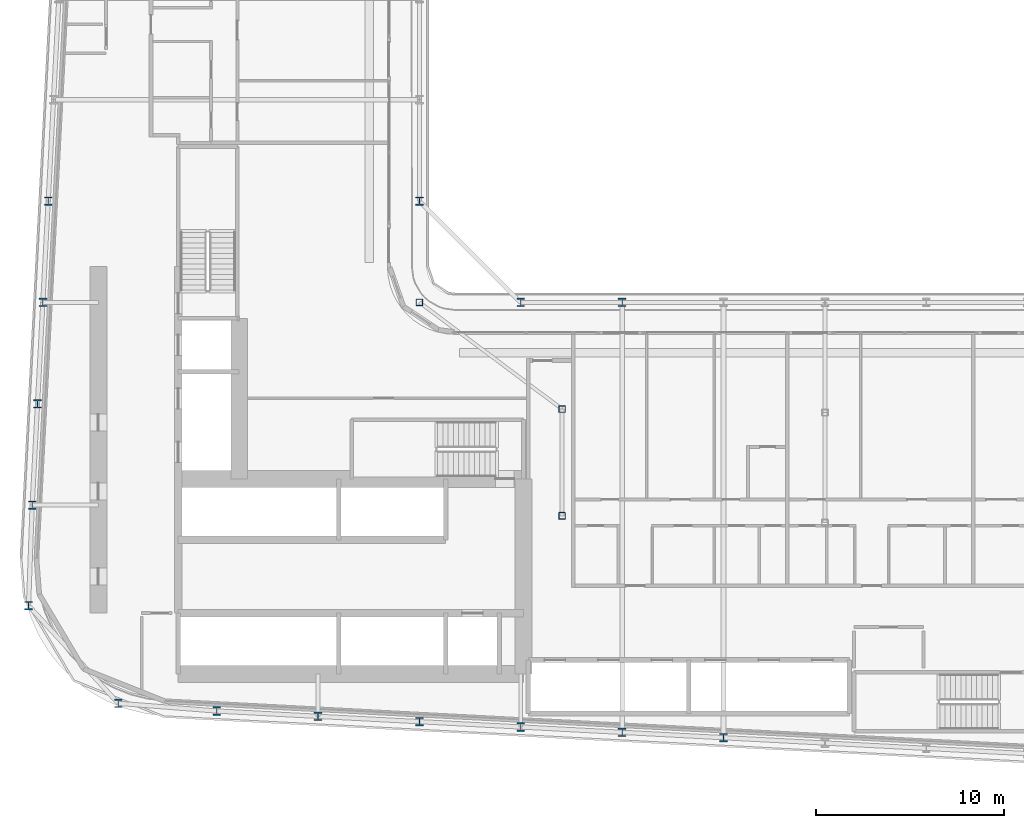
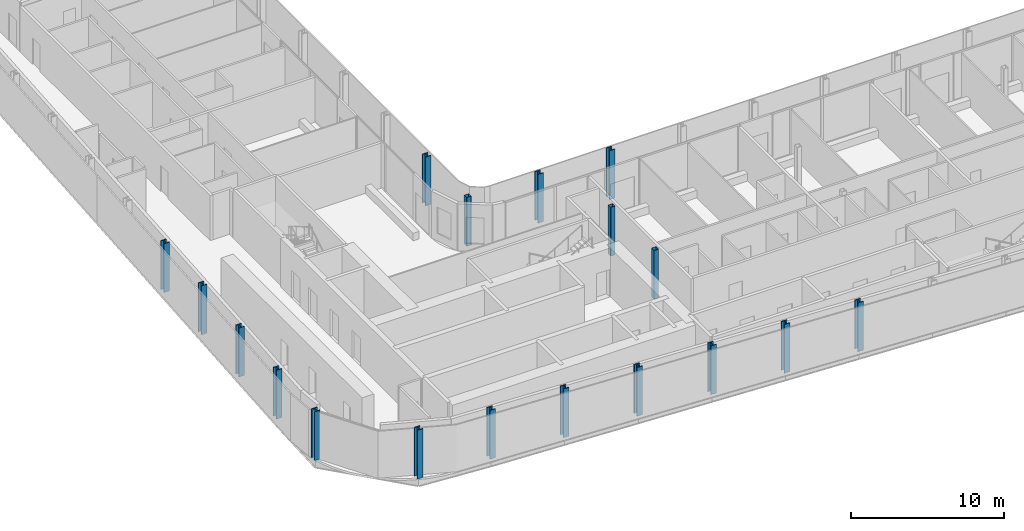
# One storey, part 1 of 27: 18 columns.
"""IFC4 building model written with IfcOpenShell, lengths in metres."""

from ifc_helpers import new_model, si_unit, direction, frame, origin, origin_2d, place, context, subcontext, project, spatial, hollow_rectangle, i_section, extrude, material, material_profile, profile_set, type_object, element, save


model = new_model("IFC4")

# Units and contexts
model_context = context("Model", 3, precision=1e-05, world=origin(), true_north=direction((0.0, 1.0)))
body_context = subcontext(model_context, "Body", "Model", "MODEL_VIEW")
ifc_project = project(units=[si_unit("LENGTHUNIT", "METRE"), si_unit("AREAUNIT", "SQUARE_METRE"), si_unit("VOLUMEUNIT", "CUBIC_METRE"), si_unit("PLANEANGLEUNIT", "RADIAN"), si_unit("MASSUNIT", "GRAM", prefix="KILO")], contexts=[model_context])

# Site, building, storey
site_placement = place(None, origin())
site = spatial("IfcSite", under=ifc_project, at=site_placement, CompositionType="ELEMENT")
building_placement = place(site_placement, origin())
building = spatial("IfcBuilding", under=site, at=building_placement, Name="Kheshtan School and Residences Tower", CompositionType="ELEMENT")
storey_placement = place(building_placement, frame((0.0, 0.0, 98.0)))
storey = spatial("IfcBuildingStorey", under=building, at=storey_placement, Name="L22", CompositionType="ELEMENT", Elevation=98.0)

# Columns
ifc_material_1 = material(Name="Steel ASTM A992 Grade 50", Category="steel")
ifc_material_profile_1 = material_profile(ifc_material_1, i_section(OverallWidth=0.41796875, OverallDepth=0.455078125, WebThickness=0.042236328125, FlangeThickness=0.067626953125, FilletRadius=0.013671875, at=origin_2d()), Name="W360x551")
ifc_profile_set_1 = profile_set([ifc_material_profile_1], Name="Steel ASTM A992 Grade 50")
column_type_1 = type_object("IfcColumnType", Name="Column C2 W360x551 ASTM A992 Grade 50", PredefinedType="COLUMN", material=ifc_profile_set_1)
for number, where, z_axis, x_axis, name in (
    (1, (63.800048828125, 22.410888671875, 0.0), (0.0, 0.0, 1.0), (1.0, 0.0, 0.0), "Column C016"),
    (2, (58.39990234375, 22.695068359375, 0.0), (0.0, 0.0, 1.0), (1.0, 0.0, 0.0), "Column C018"),
    (3, (53.0, 22.97998046875, 0.0), (0.0, 0.0, 1.0), (1.0, 0.0, 0.0), "Column C019"),
    (4, (47.60009765625, 23.263916015625, 0.0), (0.0, 0.0, 1.0), (1.0, 0.0, 0.0), "Column C020"),
    (5, (42.199951171875, 23.548095703125, 0.0), (0.0, 0.0, 1.0), (1.0, 0.0, 0.0), "Column C021"),
    (6, (36.800048828125, 23.83203125, 0.0), (0.0, 0.0, 1.0), (1.0, 0.0, 0.0), "Column C022"),
    (7, (31.554931640625, 24.241943359375, 0.0), (0.0, 0.0, 1.0), (1.0, 0.0, 0.0), "Column C023"),
    (8, (26.77392578125, 29.445068359375, 0.0), (0.0, 0.0, 1.0), (1.0, 0.0, 0.0), "Column C036"),
    (9, (26.968994140625, 34.800048828125, 0.0), (0.0, 0.0, 1.0), (1.0, 0.0, 0.0), "Column C052"),
    (10, (27.2529296875, 40.199951171875, 0.0), (0.0, 0.0, 1.0), (1.0, 0.0, 0.0), "Column C056"),
    (11, (27.537109375, 45.60009765625, 0.0), (0.0, 0.0, 1.0), (1.0, 0.0, 0.0), "Column C059"),
    (12, (53.0, 45.60009765625, 0.0), (0.0, 0.0, 1.0), (1.0, 0.0, 0.0), "Column C061"),
    (13, (58.39990234375, 45.60009765625, 0.0), (0.0, 0.0, 1.0), (1.0, 0.0, 0.0), "Column C062"),
    (14, (27.822021484375, 51.0, 0.0), (0.0, 0.0, 1.0), (1.0, 0.0, 0.0), "Column C078"),
    (15, (47.60009765625, 51.0, 0.0), (0.0, 0.0, 1.0), (1.0, 0.0, 0.0), "Column C079"),
):
    element("IfcColumn", number, at=place(storey_placement, frame(where, z_axis=z_axis, x_axis=x_axis)), inside=storey, type_object=column_type_1, Name=name, PredefinedType="COLUMN", context=body_context, shape_type="SweptSolid", body=[
        extrude(i_section(OverallWidth=0.41796875, OverallDepth=0.455078125, WebThickness=0.042236328125, FlangeThickness=0.067626953125, FilletRadius=0.013671875, at=origin_2d()), origin(), (0.0, 0.0, 1.0), 3.89990234375),
    ])
ifc_material_2 = material(Name="Steel ASTM A500 Grade C", Category="steel")
ifc_material_profile_2 = material_profile(ifc_material_2, hollow_rectangle(XDim=0.35595703125, YDim=0.35595703125, WallThickness=0.015869140625, InnerFilletRadius=0.015869140625, OuterFilletRadius=0.03173828125, at=origin_2d()), Name="HSS 356x356x15.9")
ifc_profile_set_2 = profile_set([ifc_material_profile_2], Name="Steel ASTM A500 Grade C")
column_type_2 = type_object("IfcColumnType", Name="Column IC1 HSS 356x356x15.9 ASTM A500 Grade C", PredefinedType="COLUMN", material=ifc_profile_set_2)
for number, where, z_axis, x_axis, name in (
    (16, (55.199951171875, 34.23193359375, 0.0), (0.0, 0.0, 1.0), (1.0, 0.0, 0.0), "Column C051"),
    (17, (55.199951171875, 39.916015625, 0.0), (0.0, 0.0, 1.0), (1.0, 0.0, 0.0), "Column C055"),
    (18, (47.60009765625, 45.60009765625, 0.0), (0.0, 0.0, 1.0), (1.0, 0.0, 0.0), "Column C060"),
):
    element("IfcColumn", number, at=place(storey_placement, frame(where, z_axis=z_axis, x_axis=x_axis)), inside=storey, type_object=column_type_2, Name=name, PredefinedType="COLUMN", context=body_context, shape_type="SweptSolid", body=[
        extrude(hollow_rectangle(XDim=0.35595703125, YDim=0.35595703125, WallThickness=0.015869140625, InnerFilletRadius=0.015869140625, OuterFilletRadius=0.03173828125, at=origin_2d()), origin(), (0.0, 0.0, 1.0), 3.89990234375),
    ])

save(model, "model.ifc")
